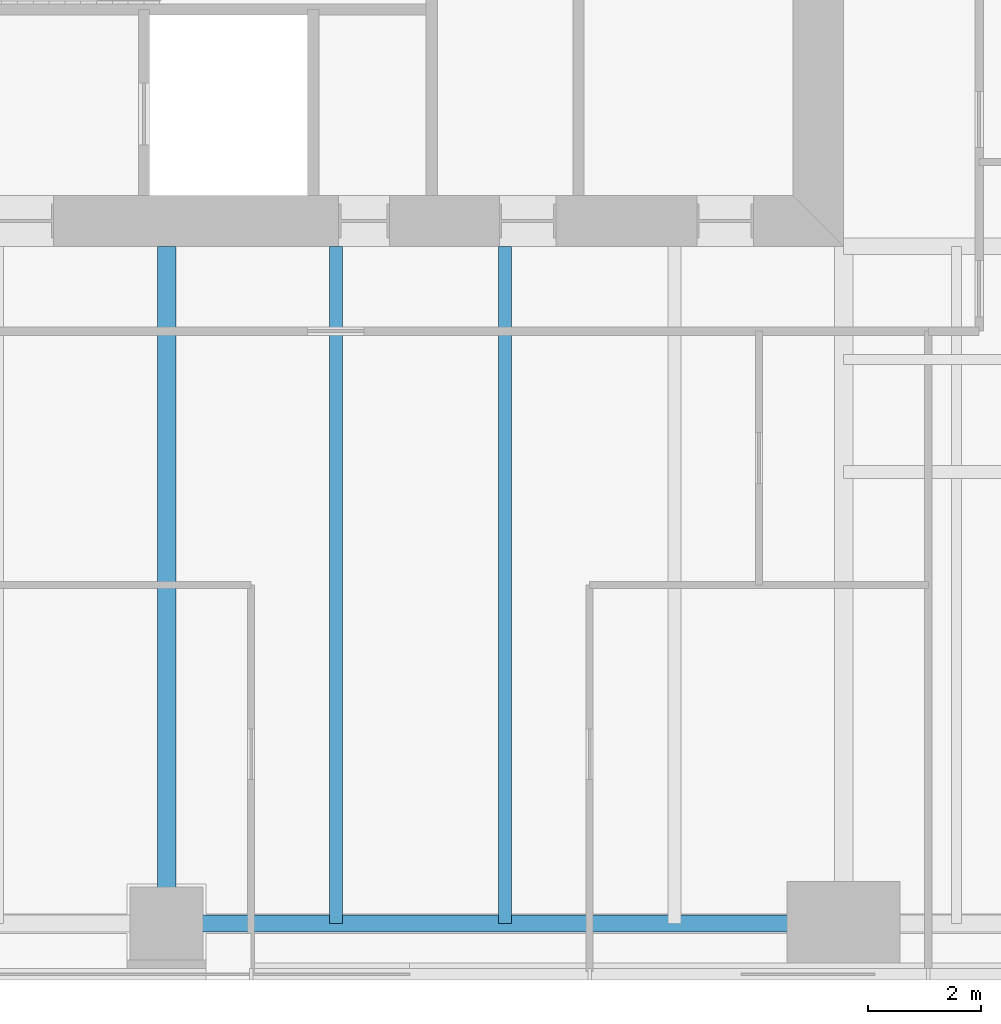
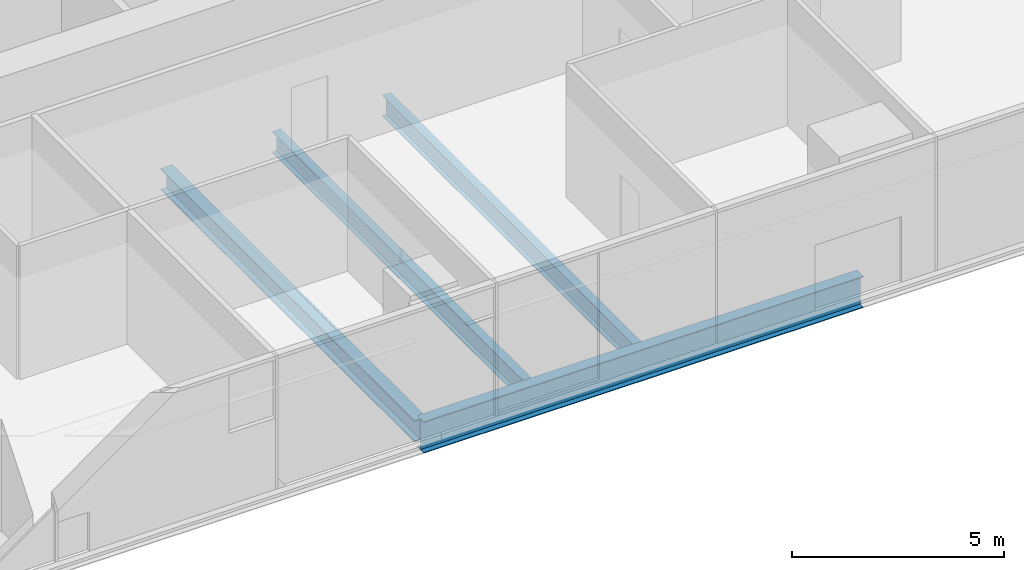
# One storey, part 3 of 14: 4 beams.
"""IFC4 building model written with IfcOpenShell, lengths in metres."""

from ifc_helpers import new_model, si_unit, direction, frame, origin, origin_2d, place, context, subcontext, project, spatial, i_section, extrude, material, material_profile, profile_set, type_object, element, save


model = new_model("IFC4")

# Units and contexts
model_context = context("Model", 3, precision=1e-05, world=origin(), true_north=direction((0.0, 1.0)))
body_context = subcontext(model_context, "Body", "Model", "MODEL_VIEW")
ifc_project = project(units=[si_unit("LENGTHUNIT", "METRE"), si_unit("AREAUNIT", "SQUARE_METRE"), si_unit("VOLUMEUNIT", "CUBIC_METRE"), si_unit("PLANEANGLEUNIT", "RADIAN"), si_unit("MASSUNIT", "GRAM", prefix="KILO")], contexts=[model_context])

# Site, building, storey
site_placement = place(None, origin())
site = spatial("IfcSite", under=ifc_project, at=site_placement, CompositionType="ELEMENT")
building_placement = place(site_placement, origin())
building = spatial("IfcBuilding", under=site, at=building_placement, Name="Fenwick Lantern Interchange", CompositionType="ELEMENT")
storey_placement = place(building_placement, frame((0.0, 0.0, 154.39990234375)))
storey = spatial("IfcBuildingStorey", under=building, at=storey_placement, Name="L36", CompositionType="ELEMENT", Elevation=154.39990234375)

# Beams
ifc_material = material(Name="Steel ASTM A992 Grade 50", Category="steel")
ifc_material_profile_1 = material_profile(ifc_material, i_section(OverallWidth=0.3046875, OverallDepth=0.911865234375, WebThickness=0.015869140625, FlangeThickness=0.02392578125, at=origin_2d()), Name="W36X150")
ifc_profile_set_1 = profile_set([ifc_material_profile_1], Name="Steel ASTM A992 Grade 50")
beam_type_1 = type_object("IfcBeamType", Name="EDGE BEAM W36X150", PredefinedType="SPANDREL", material=ifc_profile_set_1)
beam_1_placement = place(storey_placement, frame((25.0, 1.0, -0.605712890625), z_axis=(1.0, 0.0, 0.0), x_axis=(0.0, 1.0, 0.0)))
element("IfcBeam", 1, at=beam_1_placement, inside=storey, type_object=beam_type_1, Name="L36/FR/S/EB3", PredefinedType="SPANDREL", context=body_context, shape_type="SweptSolid", body=[
    extrude(i_section(OverallWidth=0.3046875, OverallDepth=0.911865234375, WebThickness=0.015869140625, FlangeThickness=0.02392578125, at=origin_2d()), origin(), (0.0, 0.0, 1.0), 12.0),
])
ifc_material_profile_2 = material_profile(ifc_material, i_section(OverallWidth=0.22900390625, OverallDepth=0.612060546875, WebThickness=0.011962890625, FlangeThickness=0.01953125, at=origin_2d()), Name="W24X84")
ifc_profile_set_2 = profile_set([ifc_material_profile_2], Name="Steel ASTM A992 Grade 50")
beam_type_2 = type_object("IfcBeamType", Name="FLOOR BEAM W24X84", PredefinedType="BEAM", material=ifc_profile_set_2)
for number, where, z_axis, x_axis, name in (
    (2, (28.0, 1.0, -0.4560546875), (0.0, 1.0, 0.0), (-1.0, 0.0, 0.0), "L36/FR/S/R06"),
    (3, (31.0, 1.0, -0.4560546875), (0.0, 1.0, 0.0), (-1.0, 0.0, 0.0), "L36/FR/S/R07"),
):
    element("IfcBeam", number, at=place(storey_placement, frame(where, z_axis=z_axis, x_axis=x_axis)), inside=storey, type_object=beam_type_2, Name=name, PredefinedType="BEAM", context=body_context, shape_type="SweptSolid", body=[
        extrude(i_section(OverallWidth=0.22900390625, OverallDepth=0.612060546875, WebThickness=0.011962890625, FlangeThickness=0.01953125, at=origin_2d()), origin(), (0.0, 0.0, 1.0), 12.0),
    ])
ifc_material_profile_3 = material_profile(ifc_material, i_section(OverallWidth=0.32763671875, OverallDepth=0.622314453125, WebThickness=0.015380859375, FlangeThickness=0.0244140625, at=origin_2d()), Name="W24X131")
ifc_profile_set_3 = profile_set([ifc_material_profile_3], Name="Steel ASTM A992 Grade 50")
beam_type_3 = type_object("IfcBeamType", Name="MOMENT-CONNECTED GIRDER W24X131", PredefinedType="BEAM", material=ifc_profile_set_3)
beam_2_placement = place(storey_placement, frame((25.0, 1.0, -0.4609375), z_axis=(0.0, 1.0, 0.0), x_axis=(-1.0, 0.0, 0.0)))
element("IfcBeam", 4, at=beam_2_placement, inside=storey, type_object=beam_type_3, Name="L36/FR/S/R05", PredefinedType="BEAM", context=body_context, shape_type="SweptSolid", body=[
    extrude(i_section(OverallWidth=0.32763671875, OverallDepth=0.622314453125, WebThickness=0.015380859375, FlangeThickness=0.0244140625, at=origin_2d()), origin(), (0.0, 0.0, 1.0), 12.0),
])

save(model, "model.ifc")
